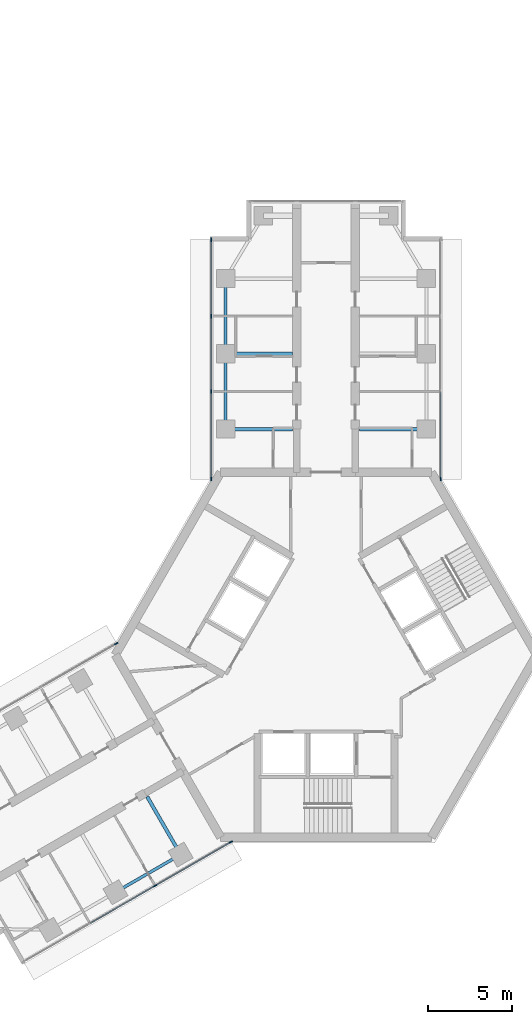
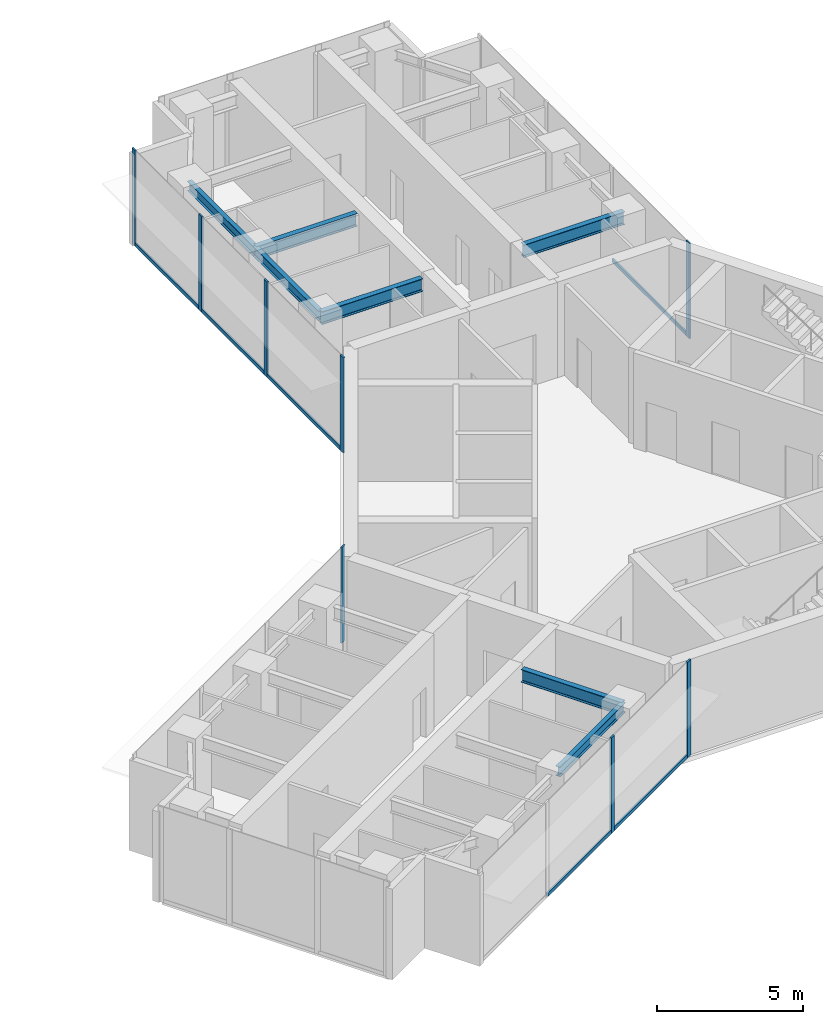
# One storey, part 8 of 17: 14 members, 7 beams, 4 elements without a shape of their own.
"""IFC4 building model written with IfcOpenShell, lengths in metres."""

from ifc_helpers import new_model, si_unit, direction, frame, origin, origin_2d, place, context, subcontext, project, spatial, rectangle, i_section, extrude, material, material_profile, profile_set, type_object, element, aggregate, save


model = new_model("IFC4")

# Units and contexts
model_context = context("Model", 3, precision=1e-05, world=origin(), true_north=direction((0.0, 1.0)))
body_context = subcontext(model_context, "Body", "Model", "MODEL_VIEW")
ifc_project = project(units=[si_unit("LENGTHUNIT", "METRE"), si_unit("AREAUNIT", "SQUARE_METRE"), si_unit("VOLUMEUNIT", "CUBIC_METRE"), si_unit("PLANEANGLEUNIT", "RADIAN"), si_unit("MASSUNIT", "GRAM", prefix="KILO")], contexts=[model_context])

# Site, building, storey
site_placement = place(None, origin())
site = spatial("IfcSite", under=ifc_project, at=site_placement, CompositionType="ELEMENT")
building_placement = place(site_placement, origin())
building = spatial("IfcBuilding", under=site, at=building_placement, Name="Upepo Twin Towers", CompositionType="ELEMENT")
storey_placement = place(building_placement, frame((0.0, 0.0, 230.5)))
storey = spatial("IfcBuildingStorey", under=building, at=storey_placement, Name="L56", CompositionType="ELEMENT", Elevation=230.5)

# Beams
ifc_material_1 = material(Name="Steel S355", Category="steel")
ifc_material_profile_1 = material_profile(ifc_material_1, i_section(OverallWidth=0.177978515625, OverallDepth=0.406494140625, WebThickness=0.0078125, FlangeThickness=0.0126953125, FilletRadius=0.01025390625, at=origin_2d()), Name="UB 406x178x60")
ifc_profile_set_1 = profile_set([ifc_material_profile_1], Name="Steel S355")
beam_type_1 = type_object("IfcBeamType", Name="Beam UB 406x178x60", PredefinedType="BEAM", material=ifc_profile_set_1)
for number, where, z_axis, x_axis, name in (
    (1, (52.5, -4.5, 3.5966796875), (0.0, 1.0, 0.0), (-1.0, 0.0, 0.0), "T2 edge beam AL 13.5-18.0"),
    (2, (52.5, 0.0, 3.5966796875), (0.0, 1.0, 0.0), (-1.0, 0.0, 0.0), "T2 edge beam AL 18.0-22.5"),
):
    element("IfcBeam", number, at=place(storey_placement, frame(where, z_axis=z_axis, x_axis=x_axis)), inside=storey, type_object=beam_type_1, Name=name, PredefinedType="BEAM", context=body_context, shape_type="SweptSolid", body=[
        extrude(i_section(OverallWidth=0.177978515625, OverallDepth=0.406494140625, WebThickness=0.0078125, FlangeThickness=0.0126953125, FilletRadius=0.01025390625, at=origin_2d()), origin(), (0.0, 0.0, 1.0), 4.5),
    ])
beam_placement = place(storey_placement, frame((49.80859375, -29.946044921875, 3.5966796875), z_axis=(-0.866017533419, -0.500013631625, 0.0), x_axis=(0.500013631625, -0.866017533419, 0.0)))
element("IfcBeam", 3, at=beam_placement, inside=storey, type_object=beam_type_1, Name="T2 edge beam BL 13.5-18.0", PredefinedType="BEAM", context=body_context, shape_type="SweptSolid", body=[
    extrude(i_section(OverallWidth=0.177978515625, OverallDepth=0.406494140625, WebThickness=0.0078125, FlangeThickness=0.0126953125, FilletRadius=0.01025390625, at=origin_2d()), origin(), (0.0, 0.0, 1.0), 4.499755859375),
])
ifc_material_2 = material(Name="Steel S355", Category="steel")
ifc_material_profile_2 = material_profile(ifc_material_2, i_section(OverallWidth=0.209228515625, OverallDepth=0.533203125, WebThickness=0.010009765625, FlangeThickness=0.015625, FilletRadius=0.0126953125, at=origin_2d()), Name="UB 533x210x92")
ifc_profile_set_2 = profile_set([ifc_material_profile_2], Name="Steel S355")
beam_type_2 = type_object("IfcBeamType", Name="Beam UB 533x210x92", PredefinedType="BEAM", material=ifc_profile_set_2)
for number, where, z_axis, x_axis, name in (
    (4, (52.5, -4.5, 3.533447265625), (1.0, 0.0, 0.0), (0.0, 1.0, 0.0), "T2 girder AL at 13.5"),
    (5, (52.5, 0.0, 3.533447265625), (1.0, 0.0, 0.0), (0.0, 1.0, 0.0), "T2 girder AL at 18.0"),
    (6, (64.5, -4.5, 3.533447265625), (-1.0, 0.0, 0.0), (0.0, -1.0, 0.0), "T2 girder AR at 13.5"),
    (7, (49.80859375, -29.946044921875, 3.533447265625), (-0.49999894854, 0.866026010844, 0.0), (-0.866026010844, -0.49999894854, 0.0), "T2 girder BL at 13.5"),
):
    element("IfcBeam", number, at=place(storey_placement, frame(where, z_axis=z_axis, x_axis=x_axis)), inside=storey, type_object=beam_type_2, Name=name, PredefinedType="BEAM", context=body_context, shape_type="SweptSolid", body=[
        extrude(i_section(OverallWidth=0.209228515625, OverallDepth=0.533203125, WebThickness=0.010009765625, FlangeThickness=0.015625, FilletRadius=0.0126953125, at=origin_2d()), origin(), (0.0, 0.0, 1.0), 4.0),
    ])

# Curtain wall, members
ifc_material_3 = material(Name="Aluminium and fritted glass", Category="aluminium")
curtain_wall_type = type_object("IfcCurtainWallType", Name="Tower curtain wall TW3, fritted glass", PredefinedType="NOTDEFINED", material=ifc_material_3)
curtain_wall_1_placement = place(storey_placement, origin())
curtain_wall_1 = element("IfcCurtainWall", 8, at=curtain_wall_1_placement, inside=storey, type_object=curtain_wall_type, Name="T2 L56 wing A flank L curtain wall", PredefinedType="NOTDEFINED")
ifc_material_4 = material(Name="Aluminium mullion", Category="aluminium")
ifc_material_profile_3 = material_profile(ifc_material_4, rectangle(XDim=0.06494140625, YDim=0.22509765625, at=origin_2d()), Name="MULLION 65x225")
ifc_profile_set_3 = profile_set([ifc_material_profile_3], Name="Aluminium mullion")
member_type_1 = type_object("IfcMemberType", Name="Mullion 65x225 TW3", PredefinedType="MULLION", material=ifc_profile_set_3)
member_1_placement = place(storey_placement, frame((51.64990234375, -7.48046875, 0.0), z_axis=(0.0, 0.0, 1.0), x_axis=(-1.0, 0.0, 0.0)))
member_1 = element("IfcMember", 9, at=member_1_placement, type_object=member_type_1, Name="T2 L56 wing A flank L curtain wall mullion 1", PredefinedType="MULLION", context=body_context, shape_type="SweptSolid", body=[
    extrude(rectangle(XDim=0.06494140625, YDim=0.22509765625, at=origin_2d()), origin(), (0.0, 0.0, 1.0), 4.0),
])
member_2_placement = place(storey_placement, frame((51.64990234375, -2.25, 0.0), z_axis=(0.0, 0.0, 1.0), x_axis=(-1.0, 0.0, 0.0)))
member_2 = element("IfcMember", 10, at=member_2_placement, type_object=member_type_1, Name="T2 L56 wing A flank L curtain wall mullion 2", PredefinedType="MULLION", context=body_context, shape_type="SweptSolid", body=[
    extrude(rectangle(XDim=0.06494140625, YDim=0.22509765625, at=origin_2d()), origin(), (0.0, 0.0, 1.0), 4.0),
])
member_3_placement = place(storey_placement, frame((51.64990234375, 2.25, 0.0), z_axis=(0.0, 0.0, 1.0), x_axis=(-1.0, 0.0, 0.0)))
member_3 = element("IfcMember", 11, at=member_3_placement, type_object=member_type_1, Name="T2 L56 wing A flank L curtain wall mullion 3", PredefinedType="MULLION", context=body_context, shape_type="SweptSolid", body=[
    extrude(rectangle(XDim=0.06494140625, YDim=0.22509765625, at=origin_2d()), origin(), (0.0, 0.0, 1.0), 4.0),
])
member_4_placement = place(storey_placement, frame((51.64990234375, 6.8173828125, 0.0), z_axis=(0.0, 0.0, 1.0), x_axis=(-1.0, 0.0, 0.0)))
member_4 = element("IfcMember", 12, at=member_4_placement, type_object=member_type_1, Name="T2 L56 wing A flank L curtain wall mullion 4", PredefinedType="MULLION", context=body_context, shape_type="SweptSolid", body=[
    extrude(rectangle(XDim=0.06494140625, YDim=0.22509765625, at=origin_2d()), origin(), (0.0, 0.0, 1.0), 4.0),
])

# Curtain wall, member
curtain_wall_2_placement = place(storey_placement, origin())
curtain_wall_2 = element("IfcCurtainWall", 13, at=curtain_wall_2_placement, inside=storey, type_object=curtain_wall_type, Name="T2 L56 wing A flank R curtain wall", PredefinedType="NOTDEFINED")
member_5_placement = place(storey_placement, frame((65.35009765625, -7.48046875, 0.0), z_axis=(0.0, 0.0, 1.0), x_axis=(1.0, 0.0, 0.0)))
member_5 = element("IfcMember", 14, at=member_5_placement, type_object=member_type_1, Name="T2 L56 wing A flank R curtain wall mullion 4", PredefinedType="MULLION", context=body_context, shape_type="SweptSolid", body=[
    extrude(rectangle(XDim=0.06494140625, YDim=0.22509765625, at=origin_2d()), origin(), (0.0, 0.0, 1.0), 4.0),
])

# Curtain wall, members
curtain_wall_3_placement = place(storey_placement, origin())
curtain_wall_3 = element("IfcCurtainWall", 15, at=curtain_wall_3_placement, inside=storey, type_object=curtain_wall_type, Name="T2 L56 wing B flank L curtain wall", PredefinedType="NOTDEFINED")
member_6_placement = place(storey_placement, frame((52.814697265625, -29.192138671875, 0.0), z_axis=(0.0, 0.0, 1.0), x_axis=(0.500000026527, -0.866025388469, 0.0)))
member_6 = element("IfcMember", 16, at=member_6_placement, type_object=member_type_1, Name="T2 L56 wing B flank L curtain wall mullion 1", PredefinedType="MULLION", context=body_context, shape_type="SweptSolid", body=[
    extrude(rectangle(XDim=0.06494140625, YDim=0.22509765625, at=origin_2d()), origin(), (0.0, 0.0, 1.0), 4.0),
])
member_7_placement = place(storey_placement, frame((48.28515625, -31.807373046875, 0.0), z_axis=(0.0, 0.0, 1.0), x_axis=(0.500000026527, -0.866025388469, 0.0)))
member_7 = element("IfcMember", 17, at=member_7_placement, type_object=member_type_1, Name="T2 L56 wing B flank L curtain wall mullion 2", PredefinedType="MULLION", context=body_context, shape_type="SweptSolid", body=[
    extrude(rectangle(XDim=0.06494140625, YDim=0.22509765625, at=origin_2d()), origin(), (0.0, 0.0, 1.0), 4.0),
])

# Curtain wall, member
curtain_wall_4_placement = place(storey_placement, origin())
curtain_wall_4 = element("IfcCurtainWall", 18, at=curtain_wall_4_placement, inside=storey, type_object=curtain_wall_type, Name="T2 L56 wing B flank R curtain wall", PredefinedType="NOTDEFINED")
member_8_placement = place(storey_placement, frame((45.96484375, -17.32763671875, 0.0), z_axis=(0.0, 0.0, 1.0), x_axis=(-0.500000026527, 0.866025388469, 0.0)))
member_8 = element("IfcMember", 19, at=member_8_placement, type_object=member_type_1, Name="T2 L56 wing B flank R curtain wall mullion 4", PredefinedType="MULLION", context=body_context, shape_type="SweptSolid", body=[
    extrude(rectangle(XDim=0.06494140625, YDim=0.22509765625, at=origin_2d()), origin(), (0.0, 0.0, 1.0), 4.0),
])
aggregate(curtain_wall_4, [member_8])

# Member
ifc_material_5 = material(Name="Aluminium transom", Category="aluminium")
ifc_material_profile_4 = material_profile(ifc_material_5, rectangle(XDim=0.06494140625, YDim=0.14990234375, at=origin_2d()), Name="TRANSOM 65x150")
ifc_profile_set_4 = profile_set([ifc_material_profile_4], Name="Aluminium transom")
member_type_2 = type_object("IfcMemberType", Name="Transom 65x150 TW3", PredefinedType="USERDEFINED", material=ifc_profile_set_4)
member_9_placement = place(storey_placement, frame((51.64990234375, -7.447998046875, 0.074951171875), z_axis=(0.0, 1.0, 0.0), x_axis=(-1.0, 0.0, 0.0)))
member_9 = element("IfcMember", 20, at=member_9_placement, type_object=member_type_2, Name="T2 L56 wing A flank L curtain wall transom 1", ObjectType="TRANSOM", PredefinedType="USERDEFINED", context=body_context, shape_type="SweptSolid", body=[
    extrude(rectangle(XDim=0.06494140625, YDim=0.14990234375, at=origin_2d()), origin(), (0.0, 0.0, 1.0), 5.16552734375),
])

member_10_placement = place(storey_placement, frame((51.64990234375, -2.217529296875, 0.074951171875), z_axis=(0.0, 1.0, 0.0), x_axis=(-1.0, 0.0, 0.0)))
member_10 = element("IfcMember", 21, at=member_10_placement, type_object=member_type_2, Name="T2 L56 wing A flank L curtain wall transom 2", ObjectType="TRANSOM", PredefinedType="USERDEFINED", context=body_context, shape_type="SweptSolid", body=[
    extrude(rectangle(XDim=0.06494140625, YDim=0.14990234375, at=origin_2d()), origin(), (0.0, 0.0, 1.0), 4.43505859375),
])

member_11_placement = place(storey_placement, frame((51.64990234375, 2.282470703125, 0.074951171875), z_axis=(0.0, 1.0, 0.0), x_axis=(-1.0, 0.0, 0.0)))
member_11 = element("IfcMember", 22, at=member_11_placement, type_object=member_type_2, Name="T2 L56 wing A flank L curtain wall transom 3", ObjectType="TRANSOM", PredefinedType="USERDEFINED", context=body_context, shape_type="SweptSolid", body=[
    extrude(rectangle(XDim=0.06494140625, YDim=0.14990234375, at=origin_2d()), origin(), (0.0, 0.0, 1.0), 4.50244140625),
])

aggregate(curtain_wall_1, [member_1, member_2, member_3, member_4, member_9, member_10, member_11])

member_12_placement = place(storey_placement, frame((65.35009765625, -2.282470703125, 0.074951171875), z_axis=(0.0, -1.0, 0.0), x_axis=(1.0, 0.0, 0.0)))
member_12 = element("IfcMember", 23, at=member_12_placement, type_object=member_type_2, Name="T2 L56 wing A flank R curtain wall transom 3", ObjectType="TRANSOM", PredefinedType="USERDEFINED", context=body_context, shape_type="SweptSolid", body=[
    extrude(rectangle(XDim=0.06494140625, YDim=0.14990234375, at=origin_2d()), origin(), (0.0, 0.0, 1.0), 5.16552734375),
])

aggregate(curtain_wall_2, [member_5, member_12])

member_13_placement = place(storey_placement, frame((52.78662109375, -29.208251953125, 0.074951171875), z_axis=(-0.86602108507, -0.500007480159, 0.0), x_axis=(0.500007480159, -0.86602108507, 0.0)))
member_13 = element("IfcMember", 24, at=member_13_placement, type_object=member_type_2, Name="T2 L56 wing B flank L curtain wall transom 1", ObjectType="TRANSOM", PredefinedType="USERDEFINED", context=body_context, shape_type="SweptSolid", body=[
    extrude(rectangle(XDim=0.06494140625, YDim=0.14990234375, at=origin_2d()), origin(), (0.0, 0.0, 1.0), 5.16552734375),
])

member_14_placement = place(storey_placement, frame((48.2568359375, -31.823486328125, 0.074951171875), z_axis=(-0.866022410713, -0.500005184116, 0.0), x_axis=(0.500005184116, -0.866022410713, 0.0)))
member_14 = element("IfcMember", 25, at=member_14_placement, type_object=member_type_2, Name="T2 L56 wing B flank L curtain wall transom 2", ObjectType="TRANSOM", PredefinedType="USERDEFINED", context=body_context, shape_type="SweptSolid", body=[
    extrude(rectangle(XDim=0.06494140625, YDim=0.14990234375, at=origin_2d()), origin(), (0.0, 0.0, 1.0), 4.43505859375),
])

aggregate(curtain_wall_3, [member_6, member_7, member_13, member_14])

save(model, "model.ifc")
